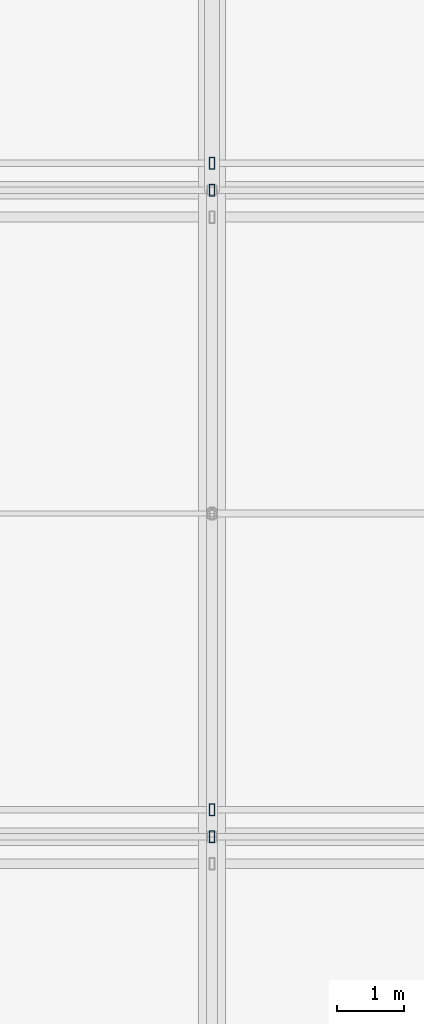
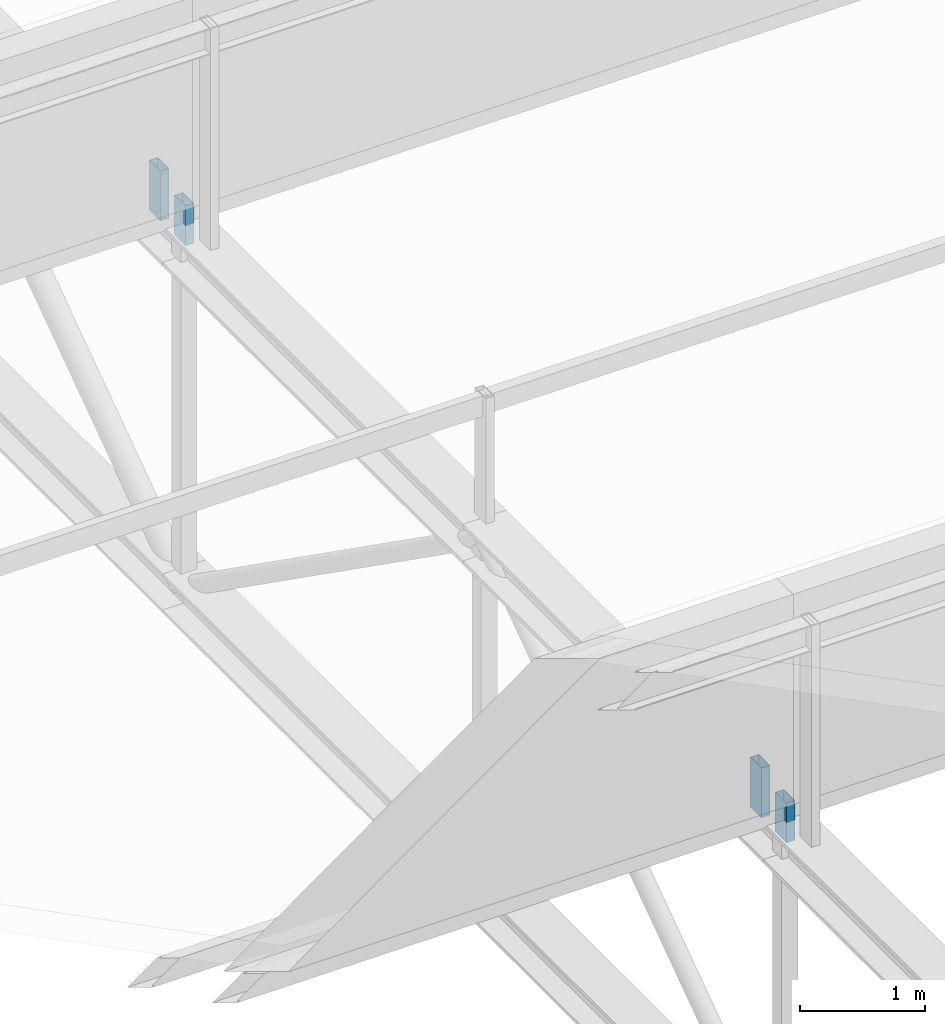
# One storey, part 90 of 136: 4 members.
"""IFC4 building model written with IfcOpenShell, lengths in metres."""

from ifc_helpers import new_model, si_unit, direction, frame, origin, origin_2d, place, context, subcontext, project, spatial, hollow_rectangle, extrude, material, material_profile, profile_set, type_object, element, save


model = new_model("IFC4")

# Units and contexts
model_context = context("Model", 3, precision=1e-05, world=origin(), true_north=direction((0.0, 1.0)))
body_context = subcontext(model_context, "Body", "Model", "MODEL_VIEW")
ifc_project = project(units=[si_unit("LENGTHUNIT", "METRE"), si_unit("AREAUNIT", "SQUARE_METRE"), si_unit("VOLUMEUNIT", "CUBIC_METRE"), si_unit("PLANEANGLEUNIT", "RADIAN"), si_unit("MASSUNIT", "GRAM", prefix="KILO")], contexts=[model_context])

# Site, building, storey
site_placement = place(None, origin())
site = spatial("IfcSite", under=ifc_project, at=site_placement, CompositionType="ELEMENT")
building_placement = place(site_placement, origin())
building = spatial("IfcBuilding", under=site, at=building_placement, Name="Kisiwana Market Hall", CompositionType="ELEMENT")
storey_placement = place(building_placement, frame((0.0, 0.0, 16.800048828125)))
storey = spatial("IfcBuildingStorey", under=building, at=storey_placement, Name="L03", CompositionType="ELEMENT", Elevation=16.800048828125)

# Members
ifc_material = material(Name="Steel S355", Category="steel")
ifc_material_profile = material_profile(ifc_material, hollow_rectangle(XDim=0.080078125, YDim=0.179931640625, WallThickness=0.00634765625, at=origin_2d()), Name="RHS 180x80x6.3")
ifc_profile_set = profile_set([ifc_material_profile], Name="Steel S355")
member_type = type_object("IfcMemberType", Name="MB-CAN-STRUT", PredefinedType="STRUT", material=ifc_profile_set)
member_1_placement = place(storey_placement, frame((135.0, 64.800048828125, 3.619873046875), z_axis=(0.0, 0.0, 1.0), x_axis=(1.0, 0.0, 0.0)))
element("IfcMember", 1, at=member_1_placement, inside=storey, type_object=member_type, Name="Sawtooth raker post 263 M-0292", PredefinedType="STRUT", context=body_context, shape_type="SweptSolid", body=[
    extrude(hollow_rectangle(XDim=0.080078125, YDim=0.179931640625, WallThickness=0.00634765625, at=origin_2d()), origin(), (0.0, 0.0, 1.0), 0.385009765625),
])
member_2_placement = place(storey_placement, frame((135.0, 65.199951171875, 3.619873046875), z_axis=(0.0, 0.0, 1.0), x_axis=(1.0, 0.0, 0.0)))
element("IfcMember", 2, at=member_2_placement, inside=storey, type_object=member_type, Name="Sawtooth raker post 306 M-0314", PredefinedType="STRUT", context=body_context, shape_type="SweptSolid", body=[
    extrude(hollow_rectangle(XDim=0.080078125, YDim=0.179931640625, WallThickness=0.00634765625, at=origin_2d()), origin(), (0.0, 0.0, 1.0), 0.485107421875),
])
member_3_placement = place(storey_placement, frame((135.0, 74.39990234375, 3.619873046875), z_axis=(0.0, 0.0, 1.0), x_axis=(1.0, 0.0, 0.0)))
element("IfcMember", 3, at=member_3_placement, inside=storey, type_object=member_type, Name="Sawtooth raker post 308 M-0316", PredefinedType="STRUT", context=body_context, shape_type="SweptSolid", body=[
    extrude(hollow_rectangle(XDim=0.080078125, YDim=0.179931640625, WallThickness=0.00634765625, at=origin_2d()), origin(), (0.0, 0.0, 1.0), 0.385009765625),
])
member_4_placement = place(storey_placement, frame((135.0, 74.800048828125, 3.619873046875), z_axis=(0.0, 0.0, 1.0), x_axis=(1.0, 0.0, 0.0)))
element("IfcMember", 4, at=member_4_placement, inside=storey, type_object=member_type, Name="Sawtooth raker post 345 M-0332", PredefinedType="STRUT", context=body_context, shape_type="SweptSolid", body=[
    extrude(hollow_rectangle(XDim=0.080078125, YDim=0.179931640625, WallThickness=0.00634765625, at=origin_2d()), origin(), (0.0, 0.0, 1.0), 0.485107421875),
])

save(model, "model.ifc")
